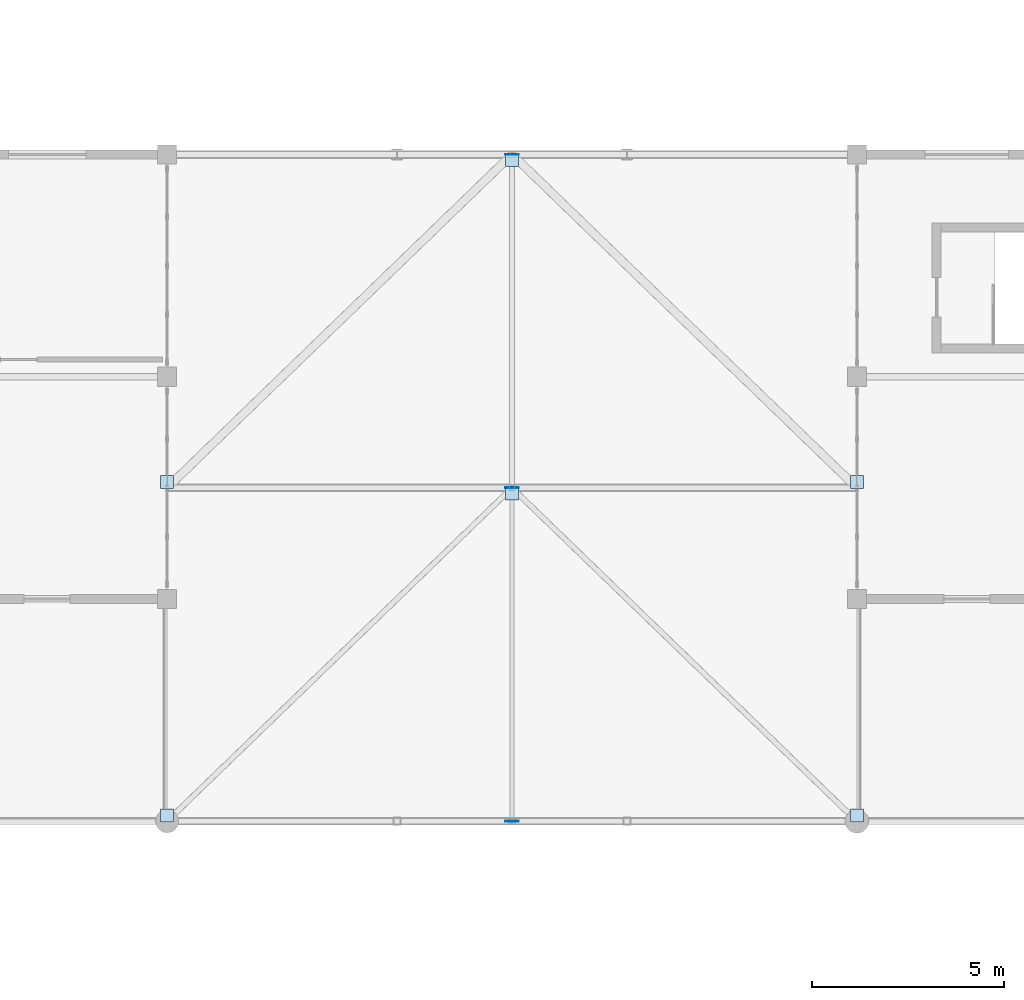
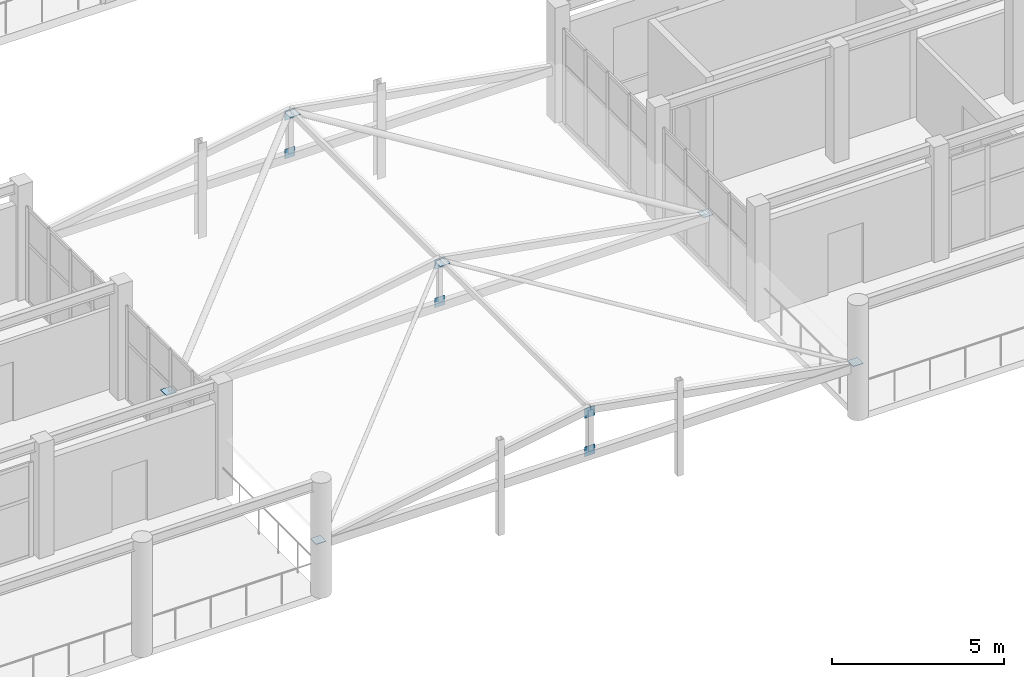
# One storey, part 79 of 128: 12 plates.
"""IFC4 building model written with IfcOpenShell, lengths in metres."""

from ifc_helpers import new_model, si_unit, direction, frame, origin, origin_2d, place, context, subcontext, project, spatial, rectangle, extrude, material, layer, layer_set, type_object, element, save


model = new_model("IFC4")

# Units and contexts
model_context = context("Model", 3, precision=1e-05, world=origin(), true_north=direction((0.0, 1.0)))
body_context = subcontext(model_context, "Body", "Model", "MODEL_VIEW")
ifc_project = project(units=[si_unit("LENGTHUNIT", "METRE"), si_unit("AREAUNIT", "SQUARE_METRE"), si_unit("VOLUMEUNIT", "CUBIC_METRE"), si_unit("PLANEANGLEUNIT", "RADIAN"), si_unit("MASSUNIT", "GRAM", prefix="KILO")], contexts=[model_context])

# Site, building, storey
site_placement = place(None, origin())
site = spatial("IfcSite", under=ifc_project, at=site_placement, CompositionType="ELEMENT")
building_placement = place(site_placement, origin())
building = spatial("IfcBuilding", under=site, at=building_placement, Name="Tanwirah Colonnade Gardens", CompositionType="ELEMENT")
storey_placement = place(building_placement, frame((0.0, 0.0, 4.760009765625)))
storey = spatial("IfcBuildingStorey", under=building, at=storey_placement, Name="L01", CompositionType="ELEMENT", Elevation=4.760009765625)

# Plates
ifc_material = material(Name="Steel S355", Category="steel")
ifc_layer = layer(ifc_material, 0.02001953125)
ifc_layer_set = layer_set([ifc_layer], Name="Steel S355")
plate_type = type_object("IfcPlateType", Name="PLT-GUS20", PredefinedType="USERDEFINED", material=ifc_layer_set)
for number, where, z_axis, x_axis, name in (
    (1, (84.0, 10.949951171875, 1.760009765625), (0.0, 0.0, 1.0), (1.0, 0.0, 0.0), "Canopy Brace End Gusset W-1A"),
    (2, (102.0, 10.949951171875, 1.760009765625), (0.0, 0.0, 1.0), (1.0, 0.0, 0.0), "Canopy Brace End Gusset E-1A"),
    (3, (93.0, 19.35009765625, 3.35986328125), (0.0, 0.0, 1.0), (1.0, 0.0, 0.0), "Canopy Brace Shared Ridge Gusset 1"),
    (4, (84.0, 19.64990234375, 1.760009765625), (0.0, 0.0, 1.0), (1.0, 0.0, 0.0), "Canopy Brace End Gusset W-2A"),
    (5, (102.0, 19.64990234375, 1.760009765625), (0.0, 0.0, 1.0), (1.0, 0.0, 0.0), "Canopy Brace End Gusset E-2A"),
    (6, (93.0, 28.050048828125, 3.35986328125), (0.0, 0.0, 1.0), (1.0, 0.0, 0.0), "Canopy Brace Shared Ridge Gusset 2"),
):
    element("IfcPlate", number, at=place(storey_placement, frame(where, z_axis=z_axis, x_axis=x_axis)), inside=storey, type_object=plate_type, Name=name, ObjectType="GUSSET_PLATE", PredefinedType="USERDEFINED", context=body_context, shape_type="SweptSolid", body=[
        extrude(rectangle(XDim=0.340087890625, YDim=0.340087890625, at=origin_2d()), origin(), (0.0, 0.0, 1.0), 0.02001953125),
    ])
for number, where, z_axis, x_axis, name in (
    (7, (93.0, 10.800048828125, 1.7197265625), (0.0, 0.0, 1.0), (1.0, 0.0, 0.0), "Canopy King-Post Lower Gusset 0"),
    (8, (93.0, 10.800048828125, 3.080078125), (0.0, 0.0, 1.0), (1.0, 0.0, 0.0), "Canopy King-Post Upper Gusset 0"),
    (9, (93.0, 19.5, 1.7197265625), (0.0, 0.0, 1.0), (1.0, 0.0, 0.0), "Canopy King-Post Lower Gusset 1"),
    (10, (93.0, 19.5, 3.080078125), (0.0, 0.0, 1.0), (1.0, 0.0, 0.0), "Canopy King-Post Upper Gusset 1"),
    (11, (93.0, 28.199951171875, 1.7197265625), (0.0, 0.0, 1.0), (1.0, 0.0, 0.0), "Canopy King-Post Lower Gusset 2"),
    (12, (93.0, 28.199951171875, 3.080078125), (0.0, 0.0, 1.0), (1.0, 0.0, 0.0), "Canopy King-Post Upper Gusset 2"),
):
    element("IfcPlate", number, at=place(storey_placement, frame(where, z_axis=z_axis, x_axis=x_axis)), inside=storey, type_object=plate_type, Name=name, ObjectType="GUSSET_PLATE", PredefinedType="USERDEFINED", context=body_context, shape_type="SweptSolid", body=[
        extrude(rectangle(XDim=0.340087890625, YDim=0.02001953125, at=origin_2d()), origin(), (0.0, 0.0, 1.0), 0.340087890625),
    ])

save(model, "model.ifc")
